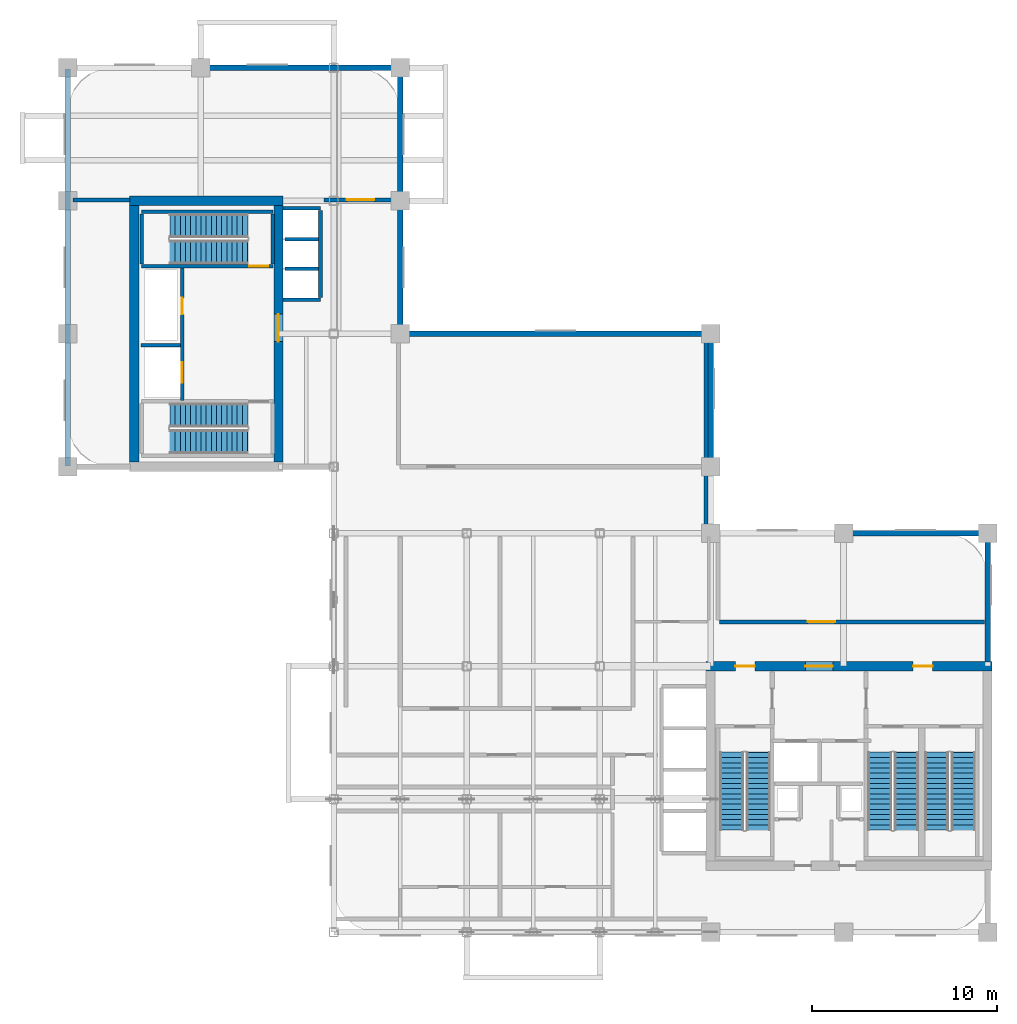
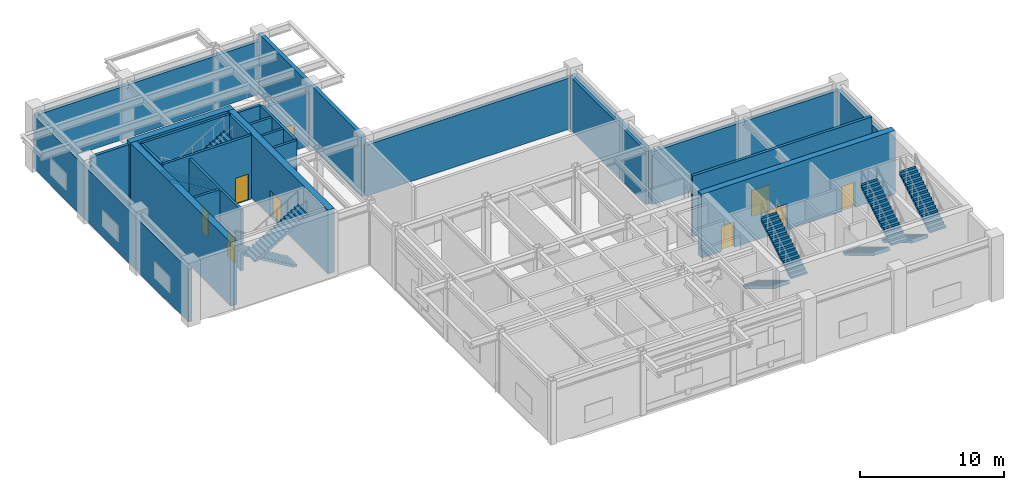
# One storey, part 7 of 10: 26 walls, 10 stair flights, 9 doors, 9 openings, 5 elements without a shape of their own.
"""IFC4 building model written with IfcOpenShell, lengths in metres."""

from ifc_helpers import new_model, si_unit, derived_unit, direction, frame, frame_2d, origin, place, context, subcontext, project, spatial, polyline, rectangle, outline, extrude, source, transform, mapped, material, layer, layer_set, type_object, type_shapes, element, fill, aggregate, save


model = new_model("IFC4")

# Units and contexts
model_context = context("Model", 3, precision=1e-05, world=origin(), true_north=direction((0.0, 1.0)))
body_context = subcontext(model_context, "Body", "Model", "MODEL_VIEW")
ifc_project = project(units=[si_unit("LENGTHUNIT", "METRE"), si_unit("AREAUNIT", "SQUARE_METRE"), si_unit("VOLUMEUNIT", "CUBIC_METRE"), si_unit("PLANEANGLEUNIT", "RADIAN"), si_unit("MASSUNIT", "GRAM", prefix="KILO"), si_unit("THERMODYNAMICTEMPERATUREUNIT", "KELVIN"), si_unit("POWERUNIT", "WATT"), derived_unit("THERMALTRANSMITTANCEUNIT", [(si_unit("POWERUNIT", "WATT"), 1), (si_unit("AREAUNIT", "SQUARE_METRE"), -1), (si_unit("THERMODYNAMICTEMPERATUREUNIT", "KELVIN"), -1)])], contexts=[model_context])

# Site, building, storey
site_placement = place(None, origin())
site = spatial("IfcSite", under=ifc_project, at=site_placement, CompositionType="ELEMENT")
building_placement = place(site_placement, origin())
building = spatial("IfcBuilding", under=site, at=building_placement, Name="Zahravan Archway Hotel and Residences", CompositionType="ELEMENT")
storey_placement = place(building_placement, frame((0.0, 0.0, 196.5)))
storey = spatial("IfcBuildingStorey", under=building, at=storey_placement, Name="L49", CompositionType="ELEMENT", Elevation=196.5)

# Wall, openings, doors
ifc_material_1 = material(Name="Concrete C60/75", Category="concrete")
ifc_layer_1 = layer(ifc_material_1, 0.5, Name="Concrete C60/75", Category="concrete")
ifc_layer_set_1 = layer_set([ifc_layer_1], Name="Concrete C60/75")
wall_type_1 = type_object("IfcWallType", Name="CW-CORE-500", PredefinedType="SHEAR", material=ifc_layer_set_1)
wall_1_placement = place(storey_placement, frame((34.550048828125, 14.39990234375, 0.0), z_axis=(0.0, 0.0, 1.0), x_axis=(1.0, 0.0, 0.0)))
wall_1 = element("IfcWall", 1, at=wall_1_placement, inside=storey, type_object=wall_type_1, Name="L49 Core A Shear N Wall 500 mm", PredefinedType="SHEAR", context=body_context, shape_type="SweptSolid", body=[
    extrude(rectangle(XDim=15.5, YDim=0.5, at=frame_2d((7.75, 0.0))), origin(), (0.0, 0.0, 1.0), 5.39990234375),
])
opening_1_placement = place(wall_1_placement, frame((5.3798828125, 0.0, 0.0)))
opening_1 = element("IfcOpeningElement", 2, at=opening_1_placement, cuts=wall_1, Name="Opening FD-L1", PredefinedType="OPENING", context=body_context, shape_type="SweptSolid", body=[
    extrude(rectangle(XDim=1.5, YDim=2.199951171875, at=frame_2d((0.75, 1.10009765625))), frame((0.0, 0.260009765625, 0.0), z_axis=(0.0, -1.0, 0.0), x_axis=(1.0, 0.0, 0.0)), (0.0, 0.0, 1.0), 0.52001953125),
])
opening_2_placement = place(wall_1_placement, frame((1.594970703125, 0.0, 0.0)))
opening_2 = element("IfcOpeningElement", 3, at=opening_2_placement, cuts=wall_1, Name="Opening FD-L2", PredefinedType="OPENING", context=body_context, shape_type="SweptSolid", body=[
    extrude(rectangle(XDim=1.050048828125, YDim=2.14990234375, at=frame_2d((0.52490234375, 1.074951171875))), frame((0.0, 0.260009765625, 0.0), z_axis=(0.0, -1.0, 0.0), x_axis=(1.0, 0.0, 0.0)), (0.0, 0.0, 1.0), 0.52001953125),
])
opening_3_placement = place(wall_1_placement, frame((11.22509765625, 0.0, 0.0)))
opening_3 = element("IfcOpeningElement", 4, at=opening_3_placement, cuts=wall_1, Name="Opening FD-L2", PredefinedType="OPENING", context=body_context, shape_type="SweptSolid", body=[
    extrude(rectangle(XDim=1.050048828125, YDim=2.14990234375, at=frame_2d((0.52490234375, 1.074951171875))), frame((0.0, 0.260009765625, 0.0), z_axis=(0.0, -1.0, 0.0), x_axis=(1.0, 0.0, 0.0)), (0.0, 0.0, 1.0), 0.52001953125),
])
ifc_material_2 = material(Name="Fire-Rated Painted Steel", Category="steel")
door_type_1 = type_object("IfcDoorType", Name="FD-LOBBY-1100", OperationType="NOTDEFINED", PredefinedType="DOOR", material=ifc_material_2)
shared_shape_1 = source(origin(), body_context, "Body", "SweptSolid", [
    extrude(rectangle(XDim=1.050048828125, YDim=2.14990234375, at=frame_2d((0.52490234375, 1.074951171875))), frame((0.0, 0.02490234375, 0.0), z_axis=(0.0, -1.0, 0.0), x_axis=(1.0, 0.0, 0.0)), (0.0, 0.0, 1.0), 0.050048828125),
])
type_shapes(door_type_1, [shared_shape_1])
door_1_placement = place(opening_2_placement, origin())
door_1 = element("IfcDoor", 5, at=door_1_placement, inside=storey, type_object=door_type_1, Name="L49 Core A West Stair Lobby Door", OperationType="SINGLE_SWING_LEFT", OverallHeight=2.14990234375, OverallWidth=1.050048828125, PredefinedType="DOOR", context=body_context, shape_type="MappedRepresentation", body=[
    mapped(shared_shape_1, transform((0.0, 0.0, 0.0), scale=1.0)),
])
fill(opening_2, door_1)
door_2_placement = place(opening_3_placement, origin())
door_2 = element("IfcDoor", 6, at=door_2_placement, inside=storey, type_object=door_type_1, Name="L49 Core A East Stair Lobby Door", OperationType="SINGLE_SWING_RIGHT", OverallHeight=2.14990234375, OverallWidth=1.050048828125, PredefinedType="DOOR", context=body_context, shape_type="MappedRepresentation", body=[
    mapped(shared_shape_1, transform((0.0, 0.0, 0.0), scale=1.0)),
])
fill(opening_3, door_2)
door_type_2 = type_object("IfcDoorType", Name="FD-LOBBY-1500", OperationType="DOUBLE_DOOR_SINGLE_SWING", PredefinedType="DOOR", material=ifc_material_2)
shared_shape_2 = source(origin(), body_context, "Body", "SweptSolid", [
    extrude(rectangle(XDim=1.5, YDim=2.199951171875, at=frame_2d((0.75, 1.10009765625))), frame((0.0, 0.02490234375, 0.0), z_axis=(0.0, -1.0, 0.0), x_axis=(1.0, 0.0, 0.0)), (0.0, 0.0, 1.0), 0.050048828125),
])
type_shapes(door_type_2, [shared_shape_2])
door_3_placement = place(opening_1_placement, origin())
door_3 = element("IfcDoor", 7, at=door_3_placement, inside=storey, type_object=door_type_2, Name="L49 Core A FSAE Lobby Main Door", OperationType="DOUBLE_DOOR_SINGLE_SWING", OverallHeight=2.199951171875, OverallWidth=1.5, PredefinedType="DOOR", context=body_context, shape_type="MappedRepresentation", body=[
    mapped(shared_shape_2, transform((0.0, 0.0, 0.0), scale=1.0)),
])
fill(opening_1, door_3)

# Walls
wall_2_placement = place(storey_placement, frame((3.35009765625, 39.60009765625, 0.0), z_axis=(0.0, 0.0, 1.0), x_axis=(1.0, 0.0, 0.0)))
element("IfcWall", 8, at=wall_2_placement, inside=storey, type_object=wall_type_1, Name="L49 Core B Shear N Wall 500 mm", PredefinedType="SHEAR", context=body_context, shape_type="SweptSolid", body=[
    extrude(rectangle(XDim=8.2998046875, YDim=0.5, at=frame_2d((4.14990234375, 0.0))), origin(), (0.0, 0.0, 1.0), 5.39990234375),
])
wall_3_placement = place(storey_placement, frame((3.60009765625, 25.449951171875, 0.0), z_axis=(0.0, 0.0, 1.0), x_axis=(0.0, 1.0, 0.0)))
element("IfcWall", 9, at=wall_3_placement, inside=storey, type_object=wall_type_1, Name="L49 Core B Shear W Wall 500 mm", PredefinedType="SHEAR", context=body_context, shape_type="SweptSolid", body=[
    extrude(rectangle(XDim=13.900146484375, YDim=0.5, at=frame_2d((6.9501953125, 0.0))), origin(), (0.0, 0.0, 1.0), 5.39990234375),
])

# Wall, opening, door
wall_4_placement = place(storey_placement, frame((11.39990234375, 25.449951171875, 0.0), z_axis=(0.0, 0.0, 1.0), x_axis=(0.0, 1.0, 0.0)))
wall_4 = element("IfcWall", 10, at=wall_4_placement, inside=storey, type_object=wall_type_1, Name="L49 Core B Shear E Wall 500 mm", PredefinedType="SHEAR", context=body_context, shape_type="SweptSolid", body=[
    extrude(rectangle(XDim=13.900146484375, YDim=0.5, at=frame_2d((6.9501953125, 0.0))), origin(), (0.0, 0.0, 1.0), 5.39990234375),
])
opening_4_placement = place(wall_4_placement, frame((6.52001953125, 0.0, 0.0)))
opening_4 = element("IfcOpeningElement", 11, at=opening_4_placement, cuts=wall_4, Name="Opening FD-L1", PredefinedType="OPENING", context=body_context, shape_type="SweptSolid", body=[
    extrude(rectangle(XDim=1.5, YDim=2.199951171875, at=frame_2d((0.75, 1.10009765625))), frame((0.0, 0.260009765625, 0.0), z_axis=(0.0, -1.0, 0.0), x_axis=(1.0, 0.0, 0.0)), (0.0, 0.0, 1.0), 0.52001953125),
])
door_4_placement = place(opening_4_placement, origin())
door_4 = element("IfcDoor", 12, at=door_4_placement, inside=storey, type_object=door_type_2, Name="L49 Core B FSAE Lobby Door", OperationType="DOUBLE_DOOR_SINGLE_SWING", OverallHeight=2.199951171875, OverallWidth=1.5, PredefinedType="DOOR", context=body_context, shape_type="MappedRepresentation", body=[
    mapped(shared_shape_2, transform((0.0, 0.0, 0.0), scale=1.0)),
])
fill(opening_4, door_4)

# Walls
ifc_material_3 = material(Name="Acoustic Louvred Sandstone Backup Wall", Category="masonry")
ifc_layer_2 = layer(ifc_material_3, 0.300048828125, Name="Acoustic Louvred Sandstone Backup Wall", Category="masonry")
ifc_layer_set_2 = layer_set([ifc_layer_2], Name="Acoustic Louvred Sandstone Backup Wall")
wall_type_2 = type_object("IfcWallType", Name="EW-REF-300", PredefinedType="SOLIDWALL", material=ifc_layer_set_2)
wall_5_placement = place(storey_placement, frame((49.800048828125, 14.6201171875, 0.0), z_axis=(0.0, 0.0, 1.0), x_axis=(0.0, 1.0, 0.0)))
element("IfcWall", 13, at=wall_5_placement, inside=storey, type_object=wall_type_2, Name="L49 Exterior Sandstone Wall WA-EN", PredefinedType="SOLIDWALL", context=body_context, shape_type="SweptSolid", body=[
    extrude(rectangle(XDim=6.929931640625, YDim=0.300048828125, at=frame_2d((3.46484375, 0.0))), origin(), (0.0, 0.0, 1.0), 4.485107421875),
])
wall_6_placement = place(storey_placement, frame((34.800048828125, 21.60009765625, 0.0), z_axis=(0.0, 0.0, 1.0), x_axis=(1.0, 0.0, 0.0)))
element("IfcWall", 14, at=wall_6_placement, inside=storey, type_object=wall_type_2, Name="L49 Exterior Sandstone Wall WA-NE", PredefinedType="SOLIDWALL", context=body_context, shape_type="SweptSolid", body=[
    extrude(rectangle(XDim=15.0, YDim=0.300048828125, at=frame_2d((7.5, 0.0))), origin(), (0.0, 0.0, 1.0), 4.485107421875),
])
wall_7_placement = place(storey_placement, frame((0.0, 25.25, 0.0), z_axis=(0.0, 0.0, 1.0), x_axis=(0.0, 1.0, 0.0)))
element("IfcWall", 15, at=wall_7_placement, inside=storey, type_object=wall_type_2, Name="L49 Exterior Sandstone Wall WB-W", PredefinedType="SOLIDWALL", context=body_context, shape_type="SweptSolid", body=[
    extrude(rectangle(XDim=21.5, YDim=0.300048828125, at=frame_2d((10.75, 0.0))), origin(), (0.0, 0.0, 1.0), 4.485107421875),
])
wall_8_placement = place(storey_placement, frame((0.0, 46.800048828125, 0.0), z_axis=(0.0, 0.0, 1.0), x_axis=(1.0, 0.0, 0.0)))
element("IfcWall", 16, at=wall_8_placement, inside=storey, type_object=wall_type_2, Name="L49 Exterior Sandstone Wall WB-N", PredefinedType="SOLIDWALL", context=body_context, shape_type="SweptSolid", body=[
    extrude(rectangle(XDim=18.0, YDim=0.300048828125, at=frame_2d((9.0, 0.0))), origin(), (0.0, 0.0, 1.0), 4.485107421875),
])
wall_9_placement = place(storey_placement, frame((18.0, 32.39990234375, 0.0), z_axis=(0.0, 0.0, 1.0), x_axis=(0.0, 1.0, 0.0)))
element("IfcWall", 17, at=wall_9_placement, inside=storey, type_object=wall_type_2, Name="L49 Exterior Sandstone Wall WB-EU", PredefinedType="SOLIDWALL", context=body_context, shape_type="SweptSolid", body=[
    extrude(rectangle(XDim=14.35009765625, YDim=0.300048828125, at=frame_2d((7.175048828125, 0.0))), origin(), (0.0, 0.0, 1.0), 5.14990234375),
])
wall_10_placement = place(storey_placement, frame((18.0, 32.39990234375, 0.0), z_axis=(0.0, 0.0, 1.0), x_axis=(1.0, 0.0, 0.0)))
element("IfcWall", 18, at=wall_10_placement, inside=storey, type_object=wall_type_2, Name="L49 Exterior Sandstone Wall HNG-N", PredefinedType="SOLIDWALL", context=body_context, shape_type="SweptSolid", body=[
    extrude(rectangle(XDim=16.800048828125, YDim=0.300048828125, at=frame_2d((8.39990234375, 0.0))), origin(), (0.0, 0.0, 1.0), 4.3349609375),
])
wall_11_placement = place(storey_placement, frame((34.800048828125, 21.64990234375, 0.0), z_axis=(0.0, 0.0, 1.0), x_axis=(0.0, 1.0, 0.0)))
element("IfcWall", 19, at=wall_11_placement, inside=storey, type_object=wall_type_2, Name="L49 Exterior Sandstone Wall HNG-E", PredefinedType="SOLIDWALL", context=body_context, shape_type="SweptSolid", body=[
    extrude(rectangle(XDim=10.75, YDim=0.300048828125, at=frame_2d((5.375, 0.0))), origin(), (0.0, 0.0, 1.0), 4.485107421875),
])

# Wall, opening, door
ifc_material_4 = material(Name="Fire-Rated Gypsum & Concrete Block", Category="concrete")
ifc_layer_3 = layer(ifc_material_4, 0.219970703125, Name="Fire-Rated Gypsum & Concrete Block", Category="concrete")
ifc_layer_set_3 = layer_set([ifc_layer_3], Name="Fire-Rated Gypsum & Concrete Block")
wall_type_3 = type_object("IfcWallType", Name="PW-COMP-220", PredefinedType="PARTITIONING", material=ifc_layer_set_3)
wall_12_placement = place(storey_placement, frame((35.2900390625, 16.800048828125, 0.0), z_axis=(0.0, 0.0, 1.0), x_axis=(1.0, 0.0, 0.0)))
wall_12 = element("IfcWall", 20, at=wall_12_placement, inside=storey, type_object=wall_type_3, Name="L49 Partition L49-RNES", PredefinedType="PARTITIONING", context=body_context, shape_type="SweptSolid", body=[
    extrude(rectangle(XDim=14.35205078125, YDim=0.219970703125, at=frame_2d((7.176025390625, 0.0))), origin(), (0.0, 0.0, 1.0), 5.14990234375),
])
opening_5_placement = place(wall_12_placement, frame((4.760009765625, 0.0, 0.0)))
opening_5 = element("IfcOpeningElement", 21, at=opening_5_placement, cuts=wall_12, Name="Opening FD-L1", PredefinedType="OPENING", context=body_context, shape_type="SweptSolid", body=[
    extrude(rectangle(XDim=1.5, YDim=2.199951171875, at=frame_2d((0.75, 1.10009765625))), frame((0.0, 0.1201171875, 0.0), z_axis=(0.0, -1.0, 0.0), x_axis=(1.0, 0.0, 0.0)), (0.0, 0.0, 1.0), 0.239990234375),
])
door_5_placement = place(opening_5_placement, origin())
door_5 = element("IfcDoor", 22, at=door_5_placement, inside=storey, type_object=door_type_2, Name="L49 North-East Protected Refuge Door", OperationType="DOUBLE_DOOR_SINGLE_SWING", OverallHeight=2.199951171875, OverallWidth=1.5, PredefinedType="DOOR", context=body_context, shape_type="MappedRepresentation", body=[
    mapped(shared_shape_2, transform((0.0, 0.0, 0.0), scale=1.0)),
])
fill(opening_5, door_5)

# Wall
wall_13_placement = place(storey_placement, frame((34.550048828125, 21.68994140625, 0.0), z_axis=(0.0, 0.0, 1.0), x_axis=(0.0, 1.0, 0.0)))
element("IfcWall", 23, at=wall_13_placement, inside=storey, type_object=wall_type_3, Name="L49 Partition L49-RWBE", PredefinedType="PARTITIONING", context=body_context, shape_type="SweptSolid", body=[
    extrude(rectangle(XDim=10.469970703125, YDim=0.219970703125, at=frame_2d((5.23486328125, 0.0))), origin(), (0.0, 0.0, 1.0), 4.485107421875),
])

# Wall, opening, door
wall_14_placement = place(storey_placement, frame((13.8701171875, 39.64990234375, 0.0), z_axis=(0.0, 0.0, 1.0), x_axis=(1.0, 0.0, 0.0)))
wall_14 = element("IfcWall", 24, at=wall_14_placement, inside=storey, type_object=wall_type_3, Name="L49 Partition L49-RWBN2", PredefinedType="PARTITIONING", context=body_context, shape_type="SweptSolid", body=[
    extrude(rectangle(XDim=3.889892578125, YDim=0.219970703125, at=frame_2d((1.94482421875, 0.0))), origin(), (0.0, 0.0, 1.0), 4.485107421875),
])
opening_6_placement = place(wall_14_placement, frame((1.22998046875, 0.0, 0.0)))
opening_6 = element("IfcOpeningElement", 25, at=opening_6_placement, cuts=wall_14, Name="Opening FD-L1", PredefinedType="OPENING", context=body_context, shape_type="SweptSolid", body=[
    extrude(rectangle(XDim=1.5, YDim=2.199951171875, at=frame_2d((0.75, 1.10009765625))), frame((0.0, 0.1201171875, 0.0), z_axis=(0.0, -1.0, 0.0), x_axis=(1.0, 0.0, 0.0)), (0.0, 0.0, 1.0), 0.239990234375),
])
door_6_placement = place(opening_6_placement, origin())
door_6 = element("IfcDoor", 26, at=door_6_placement, inside=storey, type_object=door_type_2, Name="L49 North-West Protected Refuge Door", OperationType="DOUBLE_DOOR_SINGLE_SWING", OverallHeight=2.199951171875, OverallWidth=1.5, PredefinedType="DOOR", context=body_context, shape_type="MappedRepresentation", body=[
    mapped(shared_shape_2, transform((0.0, 0.0, 0.0), scale=1.0)),
])
fill(opening_6, door_6)

# Wall
wall_15_placement = place(storey_placement, frame((0.2900390625, 39.64990234375, 0.0), z_axis=(0.0, 0.0, 1.0), x_axis=(1.0, 0.0, 0.0)))
element("IfcWall", 27, at=wall_15_placement, inside=storey, type_object=wall_type_3, Name="L49 Partition L49-RWBNW", PredefinedType="PARTITIONING", context=body_context, shape_type="SweptSolid", body=[
    extrude(rectangle(XDim=3.070068359375, YDim=0.219970703125, at=frame_2d((1.53515625, 0.0))), origin(), (0.0, 0.0, 1.0), 5.14990234375),
])

# Wall, openings, doors
ifc_layer_4 = layer(ifc_material_4, 0.199951171875, Name="Fire-Rated Gypsum & Concrete Block", Category="concrete")
ifc_layer_set_4 = layer_set([ifc_layer_4], Name="Fire-Rated Gypsum & Concrete Block")
wall_type_4 = type_object("IfcWallType", Name="PW-SHAFT-200", PredefinedType="PARTITIONING", material=ifc_layer_set_4)
wall_16_placement = place(storey_placement, frame((6.199951171875, 28.7900390625, 0.0), z_axis=(0.0, 0.0, 1.0), x_axis=(0.0, 1.0, 0.0)))
wall_16 = element("IfcWall", 28, at=wall_16_placement, inside=storey, type_object=wall_type_4, Name="L49 Partition CB-FL3E", PredefinedType="PARTITIONING", context=body_context, shape_type="SweptSolid", body=[
    extrude(rectangle(XDim=7.219970703125, YDim=0.199951171875, at=frame_2d((3.60986328125, 0.0))), origin(), (0.0, 0.0, 1.0), 5.14990234375),
])
opening_7_placement = place(wall_16_placement, frame((4.659912109375, 0.0, 0.0)))
opening_7 = element("IfcOpeningElement", 29, at=opening_7_placement, cuts=wall_16, Name="Opening FD-R1", PredefinedType="OPENING", context=body_context, shape_type="SweptSolid", body=[
    extrude(rectangle(XDim=0.89990234375, YDim=2.10009765625, at=frame_2d((0.449951171875, 1.050048828125))), frame((0.0, 0.10986328125, 0.0), z_axis=(0.0, -1.0, 0.0), x_axis=(1.0, 0.0, 0.0)), (0.0, 0.0, 1.0), 0.219970703125),
])
opening_8_placement = place(wall_16_placement, frame((0.9599609375, 0.0, 0.0)))
opening_8 = element("IfcOpeningElement", 30, at=opening_8_placement, cuts=wall_16, Name="Opening LD", PredefinedType="OPENING", context=body_context, shape_type="SweptSolid", body=[
    extrude(rectangle(XDim=1.10009765625, YDim=2.199951171875, at=frame_2d((0.550048828125, 1.10009765625))), frame((0.0, 0.10986328125, 0.0), z_axis=(0.0, -1.0, 0.0), x_axis=(1.0, 0.0, 0.0)), (0.0, 0.0, 1.0), 0.219970703125),
])
door_type_3 = type_object("IfcDoorType", Name="FD-RISER-900", OperationType="NOTDEFINED", PredefinedType="DOOR", material=ifc_material_2)
shared_shape_3 = source(origin(), body_context, "Body", "SweptSolid", [
    extrude(rectangle(XDim=0.89990234375, YDim=2.10009765625, at=frame_2d((0.449951171875, 1.050048828125))), frame((0.0, 0.02490234375, 0.0), z_axis=(0.0, -1.0, 0.0), x_axis=(1.0, 0.0, 0.0)), (0.0, 0.0, 1.0), 0.050048828125),
])
type_shapes(door_type_3, [shared_shape_3])
door_7_placement = place(opening_7_placement, origin())
door_7 = element("IfcDoor", 31, at=door_7_placement, inside=storey, type_object=door_type_3, Name="L49 Core B Riser Door", OperationType="SINGLE_SWING_LEFT", OverallHeight=2.10009765625, OverallWidth=0.89990234375, PredefinedType="DOOR", context=body_context, shape_type="MappedRepresentation", body=[
    mapped(shared_shape_3, transform((0.0, 0.0, 0.0), scale=1.0)),
])
fill(opening_7, door_7)
ifc_material_5 = material(Name="Brushed Stainless Steel", Category="steel")
door_type_4 = type_object("IfcDoorType", Name="DR-LIFT-LD", OperationType="SLIDING_TO_LEFT", PredefinedType="DOOR", material=ifc_material_5)
shared_shape_4 = source(origin(), body_context, "Body", "SweptSolid", [
    extrude(rectangle(XDim=1.10009765625, YDim=2.199951171875, at=frame_2d((0.550048828125, 1.10009765625))), frame((0.0, 0.02490234375, 0.0), z_axis=(0.0, -1.0, 0.0), x_axis=(1.0, 0.0, 0.0)), (0.0, 0.0, 1.0), 0.050048828125),
])
type_shapes(door_type_4, [shared_shape_4])
door_8_placement = place(opening_8_placement, origin())
door_8 = element("IfcDoor", 32, at=door_8_placement, inside=storey, type_object=door_type_4, Name="L49 Lift FL-3 Sliding Landing Door", OperationType="SLIDING_TO_LEFT", OverallHeight=2.199951171875, OverallWidth=1.10009765625, PredefinedType="DOOR", context=body_context, shape_type="MappedRepresentation", body=[
    mapped(shared_shape_4, transform((0.0, 0.0, 0.0), scale=1.0)),
])
fill(opening_8, door_8)

# Walls
wall_17_placement = place(storey_placement, frame((3.9599609375, 31.780029296875, 0.0), z_axis=(0.0, 0.0, 1.0), x_axis=(1.0, 0.0, 0.0)))
element("IfcWall", 33, at=wall_17_placement, inside=storey, type_object=wall_type_4, Name="L49 Partition CB-FL3N", PredefinedType="PARTITIONING", context=body_context, shape_type="SweptSolid", body=[
    extrude(rectangle(XDim=2.130126953125, YDim=0.199951171875, at=frame_2d((1.06494140625, 0.0))), origin(), (0.0, 0.0, 1.0), 5.14990234375),
])
for number, where, z_axis, x_axis, name in (
    (34, (11.659912109375, 34.25, 0.0), (0.0, 0.0, 1.0), (1.0, 0.0, 0.0), "L49 Partition B2-S"),
    (35, (11.659912109375, 39.18994140625, 0.0), (0.0, 0.0, 1.0), (1.0, 0.0, 0.0), "L49 Partition B2-N"),
):
    element("IfcWall", number, at=place(storey_placement, frame(where, z_axis=z_axis, x_axis=x_axis)), inside=storey, type_object=wall_type_4, Name=name, PredefinedType="PARTITIONING", context=body_context, shape_type="SweptSolid", body=[
        extrude(rectangle(XDim=2.010009765625, YDim=0.199951171875, at=frame_2d((1.0048828125, 0.0))), origin(), (0.0, 0.0, 1.0), 5.14990234375),
    ])
wall_18_placement = place(storey_placement, frame((13.679931640625, 34.360107421875, 0.0), z_axis=(0.0, 0.0, 1.0), x_axis=(0.0, 1.0, 0.0)))
element("IfcWall", 36, at=wall_18_placement, inside=storey, type_object=wall_type_4, Name="L49 Partition B2-E", PredefinedType="PARTITIONING", context=body_context, shape_type="SweptSolid", body=[
    extrude(rectangle(XDim=4.719970703125, YDim=0.199951171875, at=frame_2d((2.35986328125, 0.0))), origin(), (0.0, 0.0, 1.0), 5.14990234375),
])
for number, where, z_axis, x_axis, name in (
    (37, (11.760009765625, 35.919921875, 0.0), (0.0, 0.0, 1.0), (1.0, 0.0, 0.0), "L49 Partition B2-D"),
    (38, (11.760009765625, 37.52001953125, 0.0), (0.0, 0.0, 1.0), (1.0, 0.0, 0.0), "L49 Partition B2-D"),
):
    element("IfcWall", number, at=place(storey_placement, frame(where, z_axis=z_axis, x_axis=x_axis)), inside=storey, type_object=wall_type_4, Name=name, PredefinedType="PARTITIONING", context=body_context, shape_type="SweptSolid", body=[
        extrude(rectangle(XDim=1.81005859375, YDim=0.199951171875, at=frame_2d((0.905029296875, 0.0))), origin(), (0.0, 0.0, 1.0), 5.14990234375),
    ])
ifc_material_6 = material(Name="Concrete C50/60", Category="concrete")
ifc_layer_5 = layer(ifc_material_6, 0.199951171875, Name="Concrete C50/60", Category="concrete")
ifc_layer_set_5 = layer_set([ifc_layer_5], Name="Concrete C50/60")
wall_type_5 = type_object("IfcWallType", Name="SW-STAIR-200", PredefinedType="SHEAR", material=ifc_layer_set_5)
wall_19_placement = place(storey_placement, frame((4.0, 39.0, 0.0), z_axis=(0.0, 0.0, 1.0), x_axis=(1.0, 0.0, 0.0)))
element("IfcWall", 39, at=wall_19_placement, inside=storey, type_object=wall_type_5, Name="L49 Stairwell RC Wall CB-SB2N", PredefinedType="SHEAR", context=body_context, shape_type="SweptSolid", body=[
    extrude(rectangle(XDim=7.10009765625, YDim=0.199951171875, at=frame_2d((3.550048828125, 0.0))), origin(), (0.0, 0.0, 1.0), 5.39990234375),
])
for number, where, z_axis, x_axis, name in (
    (40, (4.0, 36.179931640625, 0.0), (0.0, 0.0, 1.0), (0.0, 1.0, 0.0), "L49 Stairwell RC Wall CB-SB2W"),
    (41, (11.10009765625, 36.179931640625, 0.0), (0.0, 0.0, 1.0), (0.0, 1.0, 0.0), "L49 Stairwell RC Wall CB-SB2E"),
):
    element("IfcWall", number, at=place(storey_placement, frame(where, z_axis=z_axis, x_axis=x_axis)), inside=storey, type_object=wall_type_5, Name=name, PredefinedType="SHEAR", context=body_context, shape_type="SweptSolid", body=[
        extrude(rectangle(XDim=2.699951171875, YDim=0.199951171875, at=frame_2d((1.35009765625, 0.0))), origin(), (0.0, 0.0, 1.0), 5.39990234375),
    ])

# Wall, opening, door
wall_20_placement = place(storey_placement, frame((4.0, 36.06005859375, 0.0), z_axis=(0.0, 0.0, 1.0), x_axis=(1.0, 0.0, 0.0)))
wall_20 = element("IfcWall", 42, at=wall_20_placement, inside=storey, type_object=wall_type_5, Name="L49 Stairwell RC Wall CB-SB2S", PredefinedType="SHEAR", context=body_context, shape_type="SweptSolid", body=[
    extrude(rectangle(XDim=7.10009765625, YDim=0.199951171875, at=frame_2d((3.550048828125, 0.0))), origin(), (0.0, 0.0, 1.0), 5.39990234375),
])
opening_9_placement = place(wall_20_placement, frame((5.81494140625, 0.0, 0.0)))
opening_9 = element("IfcOpeningElement", 43, at=opening_9_placement, cuts=wall_20, Name="Opening FD-S1", PredefinedType="OPENING", context=body_context, shape_type="SweptSolid", body=[
    extrude(rectangle(XDim=1.050048828125, YDim=2.199951171875, at=frame_2d((0.52490234375, 1.10009765625))), frame((0.0, 0.10986328125, 0.0), z_axis=(0.0, -1.0, 0.0), x_axis=(1.0, 0.0, 0.0)), (0.0, 0.0, 1.0), 0.219970703125),
])
door_type_5 = type_object("IfcDoorType", Name="FD-STAIR-1100", OperationType="NOTDEFINED", PredefinedType="DOOR", material=ifc_material_2)
shared_shape_5 = source(origin(), body_context, "Body", "SweptSolid", [
    extrude(rectangle(XDim=1.050048828125, YDim=2.199951171875, at=frame_2d((0.52490234375, 1.10009765625))), frame((0.0, 0.02490234375, 0.0), z_axis=(0.0, -1.0, 0.0), x_axis=(1.0, 0.0, 0.0)), (0.0, 0.0, 1.0), 0.050048828125),
])
type_shapes(door_type_5, [shared_shape_5])
door_9_placement = place(opening_9_placement, origin())
door_9 = element("IfcDoor", 44, at=door_9_placement, inside=storey, type_object=door_type_5, Name="L49 Stair ST-B2 Door", OperationType="SINGLE_SWING_RIGHT", OverallHeight=2.199951171875, OverallWidth=1.050048828125, PredefinedType="DOOR", context=body_context, shape_type="MappedRepresentation", body=[
    mapped(shared_shape_5, transform((0.0, 0.0, 0.0), scale=1.0)),
])
fill(opening_9, door_9)

# Stair, stair flights
stair_type = type_object("IfcStairType", Name="STR-CORE-1300", PredefinedType="HALF_TURN_STAIR", material=ifc_material_6)
stair_1_placement = place(storey_placement, origin())
stair_1 = element("IfcStair", 45, at=stair_1_placement, inside=storey, type_object=stair_type, Name="L49 Core A Exit Stair 1", PredefinedType="HALF_TURN_STAIR")
ifc_layer_6 = layer(ifc_material_6, 0.199951171875, Name="Concrete C50/60", Category="concrete")
ifc_layer_set_6 = layer_set([ifc_layer_6], Name="Concrete C50/60")
stair_flight_type = type_object("IfcStairFlightType", Name="SFL-CORE-1300", PredefinedType="STRAIGHT", material=ifc_layer_set_6)
shared_shape_6 = source(origin(), body_context, "Body", "SweptSolid", [
    extrude(outline(polyline([(-0.01611328125, 0.0), (-0.01611328125, 0.168701171875), (0.280029296875, 0.168701171875), (0.280029296875, 0.33740234375), (0.56005859375, 0.33740234375), (0.56005859375, 0.50634765625), (0.840087890625, 0.50634765625), (0.840087890625, 0.675048828125), (1.1201171875, 0.675048828125), (1.1201171875, 0.84375), (1.39990234375, 0.84375), (1.39990234375, 1.012451171875), (1.679931640625, 1.012451171875), (1.679931640625, 1.18115234375), (1.9599609375, 1.18115234375), (1.9599609375, 1.35009765625), (2.239990234375, 1.35009765625), (2.239990234375, 1.518798828125), (2.52001953125, 1.518798828125), (2.52001953125, 1.6875), (2.800048828125, 1.6875), (2.800048828125, 1.856201171875), (3.080078125, 1.856201171875), (3.080078125, 2.02490234375), (3.360107421875, 2.02490234375), (3.360107421875, 2.19384765625), (3.639892578125, 2.19384765625), (3.639892578125, 2.362548828125), (3.919921875, 2.362548828125), (3.919921875, 2.53125), (4.199951171875, 2.53125), (4.199951171875, 2.699951171875), (4.216064453125, 2.699951171875), (4.216064453125, 2.356201171875), (0.29052734375, 0.0), (-0.01611328125, 0.0)])), frame((0.0, 0.64990234375, 0.0), z_axis=(0.0, -1.0, 0.0), x_axis=(1.0, 0.0, 0.0)), (0.0, 0.0, 1.0), 1.300048828125),
])
stair_flight_1_placement = place(storey_placement, frame((35.949951171875, 9.72998046875, 0.0), z_axis=(0.0, 0.0, 1.0), x_axis=(0.0, -1.0, 0.0)))
stair_flight_1 = element("IfcStairFlight", 46, at=stair_flight_1_placement, type_object=stair_flight_type, Name="ST-A1 flight 1", NumberOfRisers=16, NumberOfTreads=15, PredefinedType="STRAIGHT", RiserHeight=0.16875, TreadLength=0.28, context=body_context, shape_type="MappedRepresentation", body=[
    mapped(shared_shape_6, transform((0.0, 0.0, 0.0), scale=1.0)),
])
stair_flight_2_placement = place(storey_placement, frame((37.389892578125, 5.530029296875, 2.699951171875), z_axis=(0.0, 0.0, 1.0), x_axis=(0.0, 1.0, 0.0)))
stair_flight_2 = element("IfcStairFlight", 47, at=stair_flight_2_placement, type_object=stair_flight_type, Name="ST-A1 flight 2", NumberOfRisers=16, NumberOfTreads=15, PredefinedType="STRAIGHT", RiserHeight=0.16875, TreadLength=0.28, context=body_context, shape_type="MappedRepresentation", body=[
    mapped(shared_shape_6, transform((0.0, 0.0, 0.0), scale=1.0)),
])
aggregate(stair_1, [stair_flight_1, stair_flight_2])

stair_2_placement = place(storey_placement, origin())
stair_2 = element("IfcStair", 48, at=stair_2_placement, inside=storey, type_object=stair_type, Name="L49 Core A Exit Stair 2", PredefinedType="HALF_TURN_STAIR")
stair_flight_3_placement = place(storey_placement, frame((43.969970703125, 9.72998046875, 0.0), z_axis=(0.0, 0.0, 1.0), x_axis=(0.0, -1.0, 0.0)))
stair_flight_3 = element("IfcStairFlight", 49, at=stair_flight_3_placement, type_object=stair_flight_type, Name="ST-A2 flight 1", NumberOfRisers=16, NumberOfTreads=15, PredefinedType="STRAIGHT", RiserHeight=0.16875, TreadLength=0.28, context=body_context, shape_type="MappedRepresentation", body=[
    mapped(shared_shape_6, transform((0.0, 0.0, 0.0), scale=1.0)),
])
stair_flight_4_placement = place(storey_placement, frame((45.409912109375, 5.530029296875, 2.699951171875), z_axis=(0.0, 0.0, 1.0), x_axis=(0.0, 1.0, 0.0)))
stair_flight_4 = element("IfcStairFlight", 50, at=stair_flight_4_placement, type_object=stair_flight_type, Name="ST-A2 flight 2", NumberOfRisers=16, NumberOfTreads=15, PredefinedType="STRAIGHT", RiserHeight=0.16875, TreadLength=0.28, context=body_context, shape_type="MappedRepresentation", body=[
    mapped(shared_shape_6, transform((0.0, 0.0, 0.0), scale=1.0)),
])
aggregate(stair_2, [stair_flight_3, stair_flight_4])

stair_3_placement = place(storey_placement, origin())
stair_3 = element("IfcStair", 51, at=stair_3_placement, inside=storey, type_object=stair_type, Name="L49 Core A Exit Stair 3", PredefinedType="HALF_TURN_STAIR")
stair_flight_5_placement = place(storey_placement, frame((47.050048828125, 9.72998046875, 0.0), z_axis=(0.0, 0.0, 1.0), x_axis=(0.0, -1.0, 0.0)))
stair_flight_5 = element("IfcStairFlight", 52, at=stair_flight_5_placement, type_object=stair_flight_type, Name="ST-A3 flight 1", NumberOfRisers=16, NumberOfTreads=15, PredefinedType="STRAIGHT", RiserHeight=0.16875, TreadLength=0.28, context=body_context, shape_type="MappedRepresentation", body=[
    mapped(shared_shape_6, transform((0.0, 0.0, 0.0), scale=1.0)),
])
stair_flight_6_placement = place(storey_placement, frame((48.489990234375, 5.530029296875, 2.699951171875), z_axis=(0.0, 0.0, 1.0), x_axis=(0.0, 1.0, 0.0)))
stair_flight_6 = element("IfcStairFlight", 53, at=stair_flight_6_placement, type_object=stair_flight_type, Name="ST-A3 flight 2", NumberOfRisers=16, NumberOfTreads=15, PredefinedType="STRAIGHT", RiserHeight=0.16875, TreadLength=0.28, context=body_context, shape_type="MappedRepresentation", body=[
    mapped(shared_shape_6, transform((0.0, 0.0, 0.0), scale=1.0)),
])
aggregate(stair_3, [stair_flight_5, stair_flight_6])

stair_4_placement = place(storey_placement, origin())
stair_4 = element("IfcStair", 54, at=stair_4_placement, inside=storey, type_object=stair_type, Name="L49 Core B Exit Stair 1", PredefinedType="HALF_TURN_STAIR")
stair_flight_7_placement = place(storey_placement, frame((9.72998046875, 27.989990234375, 0.0), z_axis=(0.0, 0.0, 1.0), x_axis=(-1.0, 0.0, 0.0)))
stair_flight_7 = element("IfcStairFlight", 55, at=stair_flight_7_placement, type_object=stair_flight_type, Name="ST-B1 flight 1", NumberOfRisers=16, NumberOfTreads=15, PredefinedType="STRAIGHT", RiserHeight=0.16875, TreadLength=0.28, context=body_context, shape_type="MappedRepresentation", body=[
    mapped(shared_shape_6, transform((0.0, 0.0, 0.0), scale=1.0)),
])
stair_flight_8_placement = place(storey_placement, frame((5.530029296875, 26.550048828125, 2.699951171875), z_axis=(0.0, 0.0, 1.0), x_axis=(1.0, 0.0, 0.0)))
stair_flight_8 = element("IfcStairFlight", 56, at=stair_flight_8_placement, type_object=stair_flight_type, Name="ST-B1 flight 2", NumberOfRisers=16, NumberOfTreads=15, PredefinedType="STRAIGHT", RiserHeight=0.16875, TreadLength=0.28, context=body_context, shape_type="MappedRepresentation", body=[
    mapped(shared_shape_6, transform((0.0, 0.0, 0.0), scale=1.0)),
])
aggregate(stair_4, [stair_flight_7, stair_flight_8])

stair_5_placement = place(storey_placement, origin())
stair_5 = element("IfcStair", 57, at=stair_5_placement, inside=storey, type_object=stair_type, Name="L49 Core B Exit Stair 2", PredefinedType="HALF_TURN_STAIR")
stair_flight_9_placement = place(storey_placement, frame((9.72998046875, 38.25, 0.0), z_axis=(0.0, 0.0, 1.0), x_axis=(-1.0, 0.0, 0.0)))
stair_flight_9 = element("IfcStairFlight", 58, at=stair_flight_9_placement, type_object=stair_flight_type, Name="ST-B2 flight 1", NumberOfRisers=16, NumberOfTreads=15, PredefinedType="STRAIGHT", RiserHeight=0.16875, TreadLength=0.28, context=body_context, shape_type="MappedRepresentation", body=[
    mapped(shared_shape_6, transform((0.0, 0.0, 0.0), scale=1.0)),
])
stair_flight_10_placement = place(storey_placement, frame((5.530029296875, 36.81005859375, 2.699951171875), z_axis=(0.0, 0.0, 1.0), x_axis=(1.0, 0.0, 0.0)))
stair_flight_10 = element("IfcStairFlight", 59, at=stair_flight_10_placement, type_object=stair_flight_type, Name="ST-B2 flight 2", NumberOfRisers=16, NumberOfTreads=15, PredefinedType="STRAIGHT", RiserHeight=0.16875, TreadLength=0.28, context=body_context, shape_type="MappedRepresentation", body=[
    mapped(shared_shape_6, transform((0.0, 0.0, 0.0), scale=1.0)),
])
aggregate(stair_5, [stair_flight_9, stair_flight_10])

save(model, "model.ifc")
